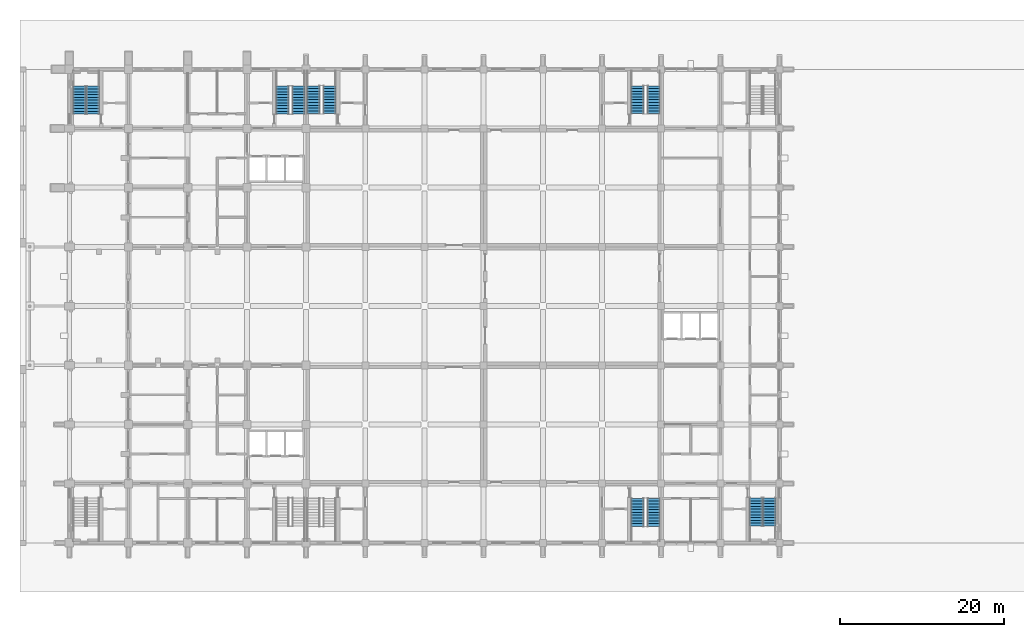
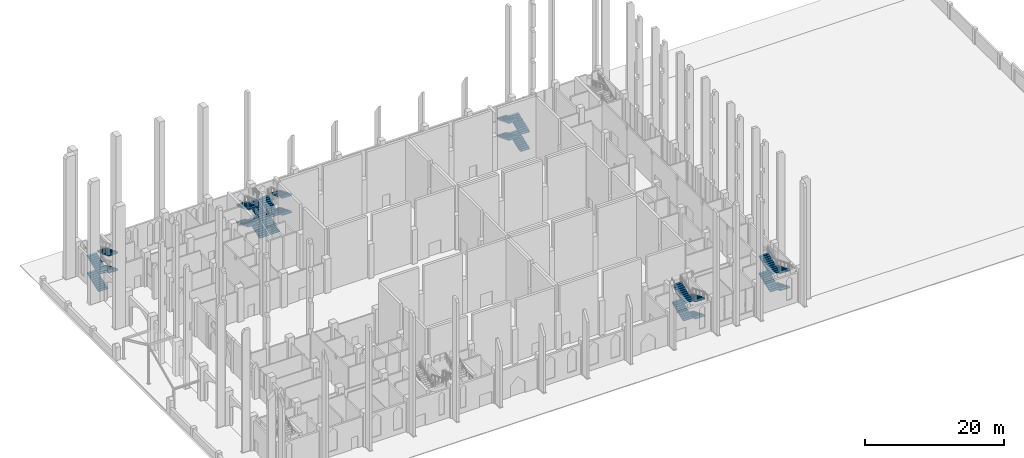
# One storey, part 41 of 50: 24 stair flights, 6 elements without a shape of their own.
"""IFC4 building model written with IfcOpenShell, lengths in metres."""

from ifc_helpers import new_model, si_unit, direction, frame, origin, place, context, subcontext, project, spatial, polyline, outline, extrude, material, type_object, element, aggregate, save


model = new_model("IFC4")

# Units and contexts
model_context = context("Model", 3, precision=1e-05, world=origin(), true_north=direction((0.0, 1.0)))
body_context = subcontext(model_context, "Body", "Model", "MODEL_VIEW")
ifc_project = project(units=[si_unit("LENGTHUNIT", "METRE"), si_unit("AREAUNIT", "SQUARE_METRE"), si_unit("VOLUMEUNIT", "CUBIC_METRE"), si_unit("PLANEANGLEUNIT", "RADIAN"), si_unit("MASSUNIT", "GRAM", prefix="KILO")], contexts=[model_context])

# Site, building, storey
site_placement = place(None, origin())
site = spatial("IfcSite", under=ifc_project, at=site_placement, CompositionType="ELEMENT")
building_placement = place(site_placement, origin())
building = spatial("IfcBuilding", under=site, at=building_placement, Name="Silangan Lancet Faculty of Sciences", CompositionType="ELEMENT")
storey_placement = place(building_placement, origin())
storey = spatial("IfcBuildingStorey", under=building, at=storey_placement, Name="L00", CompositionType="ELEMENT", Elevation=0.0)

# Stair, stair flights
ifc_material_1 = material(Name="Concrete C40/50", Category="concrete")
stair_type = type_object("IfcStairType", Name="TURRET STAIR 1550 FOUR-FLIGHT", PredefinedType="DOUBLE_RETURN_STAIR", material=ifc_material_1)
stair_1_placement = place(storey_placement, origin())
stair_1 = element("IfcStair", 1, at=stair_1_placement, inside=storey, type_object=stair_type, Name="EB-A stair L00", PredefinedType="DOUBLE_RETURN_STAIR")
ifc_material_2 = material(Name="Concrete C40/50", Category="concrete")
stair_flight_type = type_object("IfcStairFlightType", Name="TURRET STAIR FLIGHT 1550", PredefinedType="STRAIGHT", material=ifc_material_2)
stair_flight_1_placement = place(storey_placement, frame((85.175048828125, 5.449951171875, 0.0), z_axis=(0.0, 0.0, 1.0), x_axis=(0.0, -1.0, 0.0)))
stair_flight_1 = element("IfcStairFlight", 2, at=stair_flight_1_placement, type_object=stair_flight_type, Name="STR9 flight 1", NumberOfRisers=11, NumberOfTreads=10, PredefinedType="STRAIGHT", RiserHeight=0.136363636, TreadLength=0.34, context=body_context, shape_type="SweptSolid", body=[
    extrude(outline(polyline([(0.0, 0.0), (0.0, 0.136474609375), (0.340087890625, 0.136474609375), (0.340087890625, 0.272705078125), (0.679931640625, 0.272705078125), (0.679931640625, 0.4091796875), (1.02001953125, 0.4091796875), (1.02001953125, 0.54541015625), (1.360107421875, 0.54541015625), (1.360107421875, 0.681884765625), (1.699951171875, 0.681884765625), (1.699951171875, 0.818115234375), (2.0400390625, 0.818115234375), (2.0400390625, 0.95458984375), (2.3798828125, 0.95458984375), (2.3798828125, 1.0908203125), (2.719970703125, 1.0908203125), (2.719970703125, 1.227294921875), (3.06005859375, 1.227294921875), (3.06005859375, 1.363525390625), (3.39990234375, 1.363525390625), (3.39990234375, 1.5), (3.39990234375, 1.148193359375), (0.537109375, 0.0), (0.0, 0.0)])), frame((0.0, 0.77490234375, 0.0), z_axis=(0.0, -1.0, 0.0), x_axis=(1.0, 0.0, 0.0)), (0.0, 0.0, 1.0), 1.550048828125),
])
stair_flight_2_placement = place(storey_placement, frame((83.52490234375, 2.050048828125, 1.5), z_axis=(0.0, 0.0, 1.0), x_axis=(0.0, 1.0, 0.0)))
stair_flight_2 = element("IfcStairFlight", 3, at=stair_flight_2_placement, type_object=stair_flight_type, Name="STR9 flight 2", NumberOfRisers=11, NumberOfTreads=10, PredefinedType="STRAIGHT", RiserHeight=0.136363636, TreadLength=0.34, context=body_context, shape_type="SweptSolid", body=[
    extrude(outline(polyline([(0.0, 0.0), (0.0, 0.136474609375), (0.340087890625, 0.136474609375), (0.340087890625, 0.272705078125), (0.679931640625, 0.272705078125), (0.679931640625, 0.4091796875), (1.02001953125, 0.4091796875), (1.02001953125, 0.54541015625), (1.360107421875, 0.54541015625), (1.360107421875, 0.681884765625), (1.699951171875, 0.681884765625), (1.699951171875, 0.818115234375), (2.0400390625, 0.818115234375), (2.0400390625, 0.95458984375), (2.3798828125, 0.95458984375), (2.3798828125, 1.0908203125), (2.719970703125, 1.0908203125), (2.719970703125, 1.227294921875), (3.06005859375, 1.227294921875), (3.06005859375, 1.363525390625), (3.39990234375, 1.363525390625), (3.39990234375, 1.5), (3.39990234375, 1.148193359375), (0.537109375, 0.0), (0.0, 0.0)])), frame((0.0, 0.77490234375, 0.0), z_axis=(0.0, -1.0, 0.0), x_axis=(1.0, 0.0, 0.0)), (0.0, 0.0, 1.0), 1.550048828125),
])
stair_flight_3_placement = place(storey_placement, frame((85.175048828125, 5.449951171875, 3.0), z_axis=(0.0, 0.0, 1.0), x_axis=(0.0, -1.0, 0.0)))
stair_flight_3 = element("IfcStairFlight", 4, at=stair_flight_3_placement, type_object=stair_flight_type, Name="STR9 flight 3", NumberOfRisers=11, NumberOfTreads=10, PredefinedType="STRAIGHT", RiserHeight=0.136363636, TreadLength=0.34, context=body_context, shape_type="SweptSolid", body=[
    extrude(outline(polyline([(0.0, 0.0), (0.0, 0.136474609375), (0.340087890625, 0.136474609375), (0.340087890625, 0.272705078125), (0.679931640625, 0.272705078125), (0.679931640625, 0.4091796875), (1.02001953125, 0.4091796875), (1.02001953125, 0.54541015625), (1.360107421875, 0.54541015625), (1.360107421875, 0.681884765625), (1.699951171875, 0.681884765625), (1.699951171875, 0.818115234375), (2.0400390625, 0.818115234375), (2.0400390625, 0.95458984375), (2.3798828125, 0.95458984375), (2.3798828125, 1.0908203125), (2.719970703125, 1.0908203125), (2.719970703125, 1.227294921875), (3.06005859375, 1.227294921875), (3.06005859375, 1.363525390625), (3.39990234375, 1.363525390625), (3.39990234375, 1.5), (3.39990234375, 1.148193359375), (0.537109375, 0.0), (0.0, 0.0)])), frame((0.0, 0.77490234375, 0.0), z_axis=(0.0, -1.0, 0.0), x_axis=(1.0, 0.0, 0.0)), (0.0, 0.0, 1.0), 1.550048828125),
])
stair_flight_4_placement = place(storey_placement, frame((83.52490234375, 2.050048828125, 4.5), z_axis=(0.0, 0.0, 1.0), x_axis=(0.0, 1.0, 0.0)))
stair_flight_4 = element("IfcStairFlight", 5, at=stair_flight_4_placement, type_object=stair_flight_type, Name="STR9 flight 4", NumberOfRisers=11, NumberOfTreads=10, PredefinedType="STRAIGHT", RiserHeight=0.136363636, TreadLength=0.34, context=body_context, shape_type="SweptSolid", body=[
    extrude(outline(polyline([(0.0, 0.0), (0.0, 0.136474609375), (0.340087890625, 0.136474609375), (0.340087890625, 0.272705078125), (0.679931640625, 0.272705078125), (0.679931640625, 0.4091796875), (1.02001953125, 0.4091796875), (1.02001953125, 0.54541015625), (1.360107421875, 0.54541015625), (1.360107421875, 0.681884765625), (1.699951171875, 0.681884765625), (1.699951171875, 0.818115234375), (2.0400390625, 0.818115234375), (2.0400390625, 0.95458984375), (2.3798828125, 0.95458984375), (2.3798828125, 1.0908203125), (2.719970703125, 1.0908203125), (2.719970703125, 1.227294921875), (3.06005859375, 1.227294921875), (3.06005859375, 1.363525390625), (3.39990234375, 1.363525390625), (3.39990234375, 1.5), (3.39990234375, 1.148193359375), (0.537109375, 0.0), (0.0, 0.0)])), frame((0.0, 0.77490234375, 0.0), z_axis=(0.0, -1.0, 0.0), x_axis=(1.0, 0.0, 0.0)), (0.0, 0.0, 1.0), 1.550048828125),
])
aggregate(stair_1, [stair_flight_1, stair_flight_2, stair_flight_3, stair_flight_4])

stair_2_placement = place(storey_placement, origin())
stair_2 = element("IfcStair", 6, at=stair_2_placement, inside=storey, type_object=stair_type, Name="NAB-A stair L00", PredefinedType="DOUBLE_RETURN_STAIR")
stair_flight_5_placement = place(storey_placement, frame((29.699951171875, 52.199951171875, 0.0), z_axis=(0.0, 0.0, 1.0), x_axis=(0.0, 1.0, 0.0)))
stair_flight_5 = element("IfcStairFlight", 7, at=stair_flight_5_placement, type_object=stair_flight_type, Name="STR7 flight 1", NumberOfRisers=11, NumberOfTreads=10, PredefinedType="STRAIGHT", RiserHeight=0.136363636, TreadLength=0.34, context=body_context, shape_type="SweptSolid", body=[
    extrude(outline(polyline([(0.0, 0.0), (0.0, 0.136474609375), (0.340087890625, 0.136474609375), (0.340087890625, 0.272705078125), (0.679931640625, 0.272705078125), (0.679931640625, 0.4091796875), (1.02001953125, 0.4091796875), (1.02001953125, 0.54541015625), (1.360107421875, 0.54541015625), (1.360107421875, 0.681884765625), (1.699951171875, 0.681884765625), (1.699951171875, 0.818115234375), (2.0400390625, 0.818115234375), (2.0400390625, 0.95458984375), (2.3798828125, 0.95458984375), (2.3798828125, 1.0908203125), (2.719970703125, 1.0908203125), (2.719970703125, 1.227294921875), (3.06005859375, 1.227294921875), (3.06005859375, 1.363525390625), (3.39990234375, 1.363525390625), (3.39990234375, 1.5), (3.39990234375, 1.148193359375), (0.537109375, 0.0), (0.0, 0.0)])), frame((0.0, 0.77490234375, 0.0), z_axis=(0.0, -1.0, 0.0), x_axis=(1.0, 0.0, 0.0)), (0.0, 0.0, 1.0), 1.550048828125),
])
stair_flight_6_placement = place(storey_placement, frame((31.675048828125, 55.60009765625, 1.5), z_axis=(0.0, 0.0, 1.0), x_axis=(0.0, -1.0, 0.0)))
stair_flight_6 = element("IfcStairFlight", 8, at=stair_flight_6_placement, type_object=stair_flight_type, Name="STR7 flight 2", NumberOfRisers=11, NumberOfTreads=10, PredefinedType="STRAIGHT", RiserHeight=0.136363636, TreadLength=0.34, context=body_context, shape_type="SweptSolid", body=[
    extrude(outline(polyline([(0.0, 0.0), (0.0, 0.136474609375), (0.340087890625, 0.136474609375), (0.340087890625, 0.272705078125), (0.679931640625, 0.272705078125), (0.679931640625, 0.4091796875), (1.02001953125, 0.4091796875), (1.02001953125, 0.54541015625), (1.360107421875, 0.54541015625), (1.360107421875, 0.681884765625), (1.699951171875, 0.681884765625), (1.699951171875, 0.818115234375), (2.0400390625, 0.818115234375), (2.0400390625, 0.95458984375), (2.3798828125, 0.95458984375), (2.3798828125, 1.0908203125), (2.719970703125, 1.0908203125), (2.719970703125, 1.227294921875), (3.06005859375, 1.227294921875), (3.06005859375, 1.363525390625), (3.39990234375, 1.363525390625), (3.39990234375, 1.5), (3.39990234375, 1.148193359375), (0.537109375, 0.0), (0.0, 0.0)])), frame((0.0, 0.77490234375, 0.0), z_axis=(0.0, -1.0, 0.0), x_axis=(1.0, 0.0, 0.0)), (0.0, 0.0, 1.0), 1.550048828125),
])
stair_flight_7_placement = place(storey_placement, frame((29.699951171875, 52.199951171875, 3.0), z_axis=(0.0, 0.0, 1.0), x_axis=(0.0, 1.0, 0.0)))
stair_flight_7 = element("IfcStairFlight", 9, at=stair_flight_7_placement, type_object=stair_flight_type, Name="STR7 flight 3", NumberOfRisers=11, NumberOfTreads=10, PredefinedType="STRAIGHT", RiserHeight=0.136363636, TreadLength=0.34, context=body_context, shape_type="SweptSolid", body=[
    extrude(outline(polyline([(0.0, 0.0), (0.0, 0.136474609375), (0.340087890625, 0.136474609375), (0.340087890625, 0.272705078125), (0.679931640625, 0.272705078125), (0.679931640625, 0.4091796875), (1.02001953125, 0.4091796875), (1.02001953125, 0.54541015625), (1.360107421875, 0.54541015625), (1.360107421875, 0.681884765625), (1.699951171875, 0.681884765625), (1.699951171875, 0.818115234375), (2.0400390625, 0.818115234375), (2.0400390625, 0.95458984375), (2.3798828125, 0.95458984375), (2.3798828125, 1.0908203125), (2.719970703125, 1.0908203125), (2.719970703125, 1.227294921875), (3.06005859375, 1.227294921875), (3.06005859375, 1.363525390625), (3.39990234375, 1.363525390625), (3.39990234375, 1.5), (3.39990234375, 1.148193359375), (0.537109375, 0.0), (0.0, 0.0)])), frame((0.0, 0.77490234375, 0.0), z_axis=(0.0, -1.0, 0.0), x_axis=(1.0, 0.0, 0.0)), (0.0, 0.0, 1.0), 1.550048828125),
])
stair_flight_8_placement = place(storey_placement, frame((31.675048828125, 55.60009765625, 4.5), z_axis=(0.0, 0.0, 1.0), x_axis=(0.0, -1.0, 0.0)))
stair_flight_8 = element("IfcStairFlight", 10, at=stair_flight_8_placement, type_object=stair_flight_type, Name="STR7 flight 4", NumberOfRisers=11, NumberOfTreads=10, PredefinedType="STRAIGHT", RiserHeight=0.136363636, TreadLength=0.34, context=body_context, shape_type="SweptSolid", body=[
    extrude(outline(polyline([(0.0, 0.0), (0.0, 0.136474609375), (0.340087890625, 0.136474609375), (0.340087890625, 0.272705078125), (0.679931640625, 0.272705078125), (0.679931640625, 0.4091796875), (1.02001953125, 0.4091796875), (1.02001953125, 0.54541015625), (1.360107421875, 0.54541015625), (1.360107421875, 0.681884765625), (1.699951171875, 0.681884765625), (1.699951171875, 0.818115234375), (2.0400390625, 0.818115234375), (2.0400390625, 0.95458984375), (2.3798828125, 0.95458984375), (2.3798828125, 1.0908203125), (2.719970703125, 1.0908203125), (2.719970703125, 1.227294921875), (3.06005859375, 1.227294921875), (3.06005859375, 1.363525390625), (3.39990234375, 1.363525390625), (3.39990234375, 1.5), (3.39990234375, 1.148193359375), (0.537109375, 0.0), (0.0, 0.0)])), frame((0.0, 0.77490234375, 0.0), z_axis=(0.0, -1.0, 0.0), x_axis=(1.0, 0.0, 0.0)), (0.0, 0.0, 1.0), 1.550048828125),
])
aggregate(stair_2, [stair_flight_5, stair_flight_6, stair_flight_7, stair_flight_8])

stair_3_placement = place(storey_placement, origin())
stair_3 = element("IfcStair", 11, at=stair_3_placement, inside=storey, type_object=stair_type, Name="NAB-B stair L00", PredefinedType="DOUBLE_RETURN_STAIR")
stair_flight_9_placement = place(storey_placement, frame((71.10009765625, 52.199951171875, 0.0), z_axis=(0.0, 0.0, 1.0), x_axis=(0.0, 1.0, 0.0)))
stair_flight_9 = element("IfcStairFlight", 12, at=stair_flight_9_placement, type_object=stair_flight_type, Name="STR8 flight 1", NumberOfRisers=11, NumberOfTreads=10, PredefinedType="STRAIGHT", RiserHeight=0.136363636, TreadLength=0.34, context=body_context, shape_type="SweptSolid", body=[
    extrude(outline(polyline([(0.0, 0.0), (0.0, 0.136474609375), (0.340087890625, 0.136474609375), (0.340087890625, 0.272705078125), (0.679931640625, 0.272705078125), (0.679931640625, 0.4091796875), (1.02001953125, 0.4091796875), (1.02001953125, 0.54541015625), (1.360107421875, 0.54541015625), (1.360107421875, 0.681884765625), (1.699951171875, 0.681884765625), (1.699951171875, 0.818115234375), (2.0400390625, 0.818115234375), (2.0400390625, 0.95458984375), (2.3798828125, 0.95458984375), (2.3798828125, 1.0908203125), (2.719970703125, 1.0908203125), (2.719970703125, 1.227294921875), (3.06005859375, 1.227294921875), (3.06005859375, 1.363525390625), (3.39990234375, 1.363525390625), (3.39990234375, 1.5), (3.39990234375, 1.148193359375), (0.537109375, 0.0), (0.0, 0.0)])), frame((0.0, 0.77490234375, 0.0), z_axis=(0.0, -1.0, 0.0), x_axis=(1.0, 0.0, 0.0)), (0.0, 0.0, 1.0), 1.550048828125),
])
stair_flight_10_placement = place(storey_placement, frame((69.125, 55.60009765625, 1.5), z_axis=(0.0, 0.0, 1.0), x_axis=(0.0, -1.0, 0.0)))
stair_flight_10 = element("IfcStairFlight", 13, at=stair_flight_10_placement, type_object=stair_flight_type, Name="STR8 flight 2", NumberOfRisers=11, NumberOfTreads=10, PredefinedType="STRAIGHT", RiserHeight=0.136363636, TreadLength=0.34, context=body_context, shape_type="SweptSolid", body=[
    extrude(outline(polyline([(0.0, 0.0), (0.0, 0.136474609375), (0.340087890625, 0.136474609375), (0.340087890625, 0.272705078125), (0.679931640625, 0.272705078125), (0.679931640625, 0.4091796875), (1.02001953125, 0.4091796875), (1.02001953125, 0.54541015625), (1.360107421875, 0.54541015625), (1.360107421875, 0.681884765625), (1.699951171875, 0.681884765625), (1.699951171875, 0.818115234375), (2.0400390625, 0.818115234375), (2.0400390625, 0.95458984375), (2.3798828125, 0.95458984375), (2.3798828125, 1.0908203125), (2.719970703125, 1.0908203125), (2.719970703125, 1.227294921875), (3.06005859375, 1.227294921875), (3.06005859375, 1.363525390625), (3.39990234375, 1.363525390625), (3.39990234375, 1.5), (3.39990234375, 1.148193359375), (0.537109375, 0.0), (0.0, 0.0)])), frame((0.0, 0.77490234375, 0.0), z_axis=(0.0, -1.0, 0.0), x_axis=(1.0, 0.0, 0.0)), (0.0, 0.0, 1.0), 1.550048828125),
])
stair_flight_11_placement = place(storey_placement, frame((71.10009765625, 52.199951171875, 3.0), z_axis=(0.0, 0.0, 1.0), x_axis=(0.0, 1.0, 0.0)))
stair_flight_11 = element("IfcStairFlight", 14, at=stair_flight_11_placement, type_object=stair_flight_type, Name="STR8 flight 3", NumberOfRisers=11, NumberOfTreads=10, PredefinedType="STRAIGHT", RiserHeight=0.136363636, TreadLength=0.34, context=body_context, shape_type="SweptSolid", body=[
    extrude(outline(polyline([(0.0, 0.0), (0.0, 0.136474609375), (0.340087890625, 0.136474609375), (0.340087890625, 0.272705078125), (0.679931640625, 0.272705078125), (0.679931640625, 0.4091796875), (1.02001953125, 0.4091796875), (1.02001953125, 0.54541015625), (1.360107421875, 0.54541015625), (1.360107421875, 0.681884765625), (1.699951171875, 0.681884765625), (1.699951171875, 0.818115234375), (2.0400390625, 0.818115234375), (2.0400390625, 0.95458984375), (2.3798828125, 0.95458984375), (2.3798828125, 1.0908203125), (2.719970703125, 1.0908203125), (2.719970703125, 1.227294921875), (3.06005859375, 1.227294921875), (3.06005859375, 1.363525390625), (3.39990234375, 1.363525390625), (3.39990234375, 1.5), (3.39990234375, 1.148193359375), (0.537109375, 0.0), (0.0, 0.0)])), frame((0.0, 0.77490234375, 0.0), z_axis=(0.0, -1.0, 0.0), x_axis=(1.0, 0.0, 0.0)), (0.0, 0.0, 1.0), 1.550048828125),
])
stair_flight_12_placement = place(storey_placement, frame((69.125, 55.60009765625, 4.5), z_axis=(0.0, 0.0, 1.0), x_axis=(0.0, -1.0, 0.0)))
stair_flight_12 = element("IfcStairFlight", 15, at=stair_flight_12_placement, type_object=stair_flight_type, Name="STR8 flight 4", NumberOfRisers=11, NumberOfTreads=10, PredefinedType="STRAIGHT", RiserHeight=0.136363636, TreadLength=0.34, context=body_context, shape_type="SweptSolid", body=[
    extrude(outline(polyline([(0.0, 0.0), (0.0, 0.136474609375), (0.340087890625, 0.136474609375), (0.340087890625, 0.272705078125), (0.679931640625, 0.272705078125), (0.679931640625, 0.4091796875), (1.02001953125, 0.4091796875), (1.02001953125, 0.54541015625), (1.360107421875, 0.54541015625), (1.360107421875, 0.681884765625), (1.699951171875, 0.681884765625), (1.699951171875, 0.818115234375), (2.0400390625, 0.818115234375), (2.0400390625, 0.95458984375), (2.3798828125, 0.95458984375), (2.3798828125, 1.0908203125), (2.719970703125, 1.0908203125), (2.719970703125, 1.227294921875), (3.06005859375, 1.227294921875), (3.06005859375, 1.363525390625), (3.39990234375, 1.363525390625), (3.39990234375, 1.5), (3.39990234375, 1.148193359375), (0.537109375, 0.0), (0.0, 0.0)])), frame((0.0, 0.77490234375, 0.0), z_axis=(0.0, -1.0, 0.0), x_axis=(1.0, 0.0, 0.0)), (0.0, 0.0, 1.0), 1.550048828125),
])
aggregate(stair_3, [stair_flight_9, stair_flight_10, stair_flight_11, stair_flight_12])

stair_4_placement = place(storey_placement, origin())
stair_4 = element("IfcStair", 16, at=stair_4_placement, inside=storey, type_object=stair_type, Name="NT-A stair L00", PredefinedType="DOUBLE_RETURN_STAIR")
stair_flight_13_placement = place(storey_placement, frame((1.22509765625, 52.14990234375, 0.0), z_axis=(0.0, 0.0, 1.0), x_axis=(0.0, 1.0, 0.0)))
stair_flight_13 = element("IfcStairFlight", 17, at=stair_flight_13_placement, type_object=stair_flight_type, Name="STR3 flight 1", NumberOfRisers=11, NumberOfTreads=10, PredefinedType="STRAIGHT", RiserHeight=0.136363636, TreadLength=0.34, context=body_context, shape_type="SweptSolid", body=[
    extrude(outline(polyline([(0.0, 0.0), (0.0, 0.136474609375), (0.340087890625, 0.136474609375), (0.340087890625, 0.272705078125), (0.679931640625, 0.272705078125), (0.679931640625, 0.4091796875), (1.02001953125, 0.4091796875), (1.02001953125, 0.54541015625), (1.360107421875, 0.54541015625), (1.360107421875, 0.681884765625), (1.699951171875, 0.681884765625), (1.699951171875, 0.818115234375), (2.0400390625, 0.818115234375), (2.0400390625, 0.95458984375), (2.3798828125, 0.95458984375), (2.3798828125, 1.0908203125), (2.719970703125, 1.0908203125), (2.719970703125, 1.227294921875), (3.06005859375, 1.227294921875), (3.06005859375, 1.363525390625), (3.39990234375, 1.363525390625), (3.39990234375, 1.5), (3.39990234375, 1.148193359375), (0.537109375, 0.0), (0.0, 0.0)])), frame((0.0, 0.77490234375, 0.0), z_axis=(0.0, -1.0, 0.0), x_axis=(1.0, 0.0, 0.0)), (0.0, 0.0, 1.0), 1.550048828125),
])
stair_flight_14_placement = place(storey_placement, frame((2.875, 55.550048828125, 1.5), z_axis=(0.0, 0.0, 1.0), x_axis=(0.0, -1.0, 0.0)))
stair_flight_14 = element("IfcStairFlight", 18, at=stair_flight_14_placement, type_object=stair_flight_type, Name="STR3 flight 2", NumberOfRisers=11, NumberOfTreads=10, PredefinedType="STRAIGHT", RiserHeight=0.136363636, TreadLength=0.34, context=body_context, shape_type="SweptSolid", body=[
    extrude(outline(polyline([(0.0, 0.0), (0.0, 0.136474609375), (0.340087890625, 0.136474609375), (0.340087890625, 0.272705078125), (0.679931640625, 0.272705078125), (0.679931640625, 0.4091796875), (1.02001953125, 0.4091796875), (1.02001953125, 0.54541015625), (1.360107421875, 0.54541015625), (1.360107421875, 0.681884765625), (1.699951171875, 0.681884765625), (1.699951171875, 0.818115234375), (2.0400390625, 0.818115234375), (2.0400390625, 0.95458984375), (2.3798828125, 0.95458984375), (2.3798828125, 1.0908203125), (2.719970703125, 1.0908203125), (2.719970703125, 1.227294921875), (3.06005859375, 1.227294921875), (3.06005859375, 1.363525390625), (3.39990234375, 1.363525390625), (3.39990234375, 1.5), (3.39990234375, 1.148193359375), (0.537109375, 0.0), (0.0, 0.0)])), frame((0.0, 0.77490234375, 0.0), z_axis=(0.0, -1.0, 0.0), x_axis=(1.0, 0.0, 0.0)), (0.0, 0.0, 1.0), 1.550048828125),
])
stair_flight_15_placement = place(storey_placement, frame((1.22509765625, 52.14990234375, 3.0), z_axis=(0.0, 0.0, 1.0), x_axis=(0.0, 1.0, 0.0)))
stair_flight_15 = element("IfcStairFlight", 19, at=stair_flight_15_placement, type_object=stair_flight_type, Name="STR3 flight 3", NumberOfRisers=11, NumberOfTreads=10, PredefinedType="STRAIGHT", RiserHeight=0.136363636, TreadLength=0.34, context=body_context, shape_type="SweptSolid", body=[
    extrude(outline(polyline([(0.0, 0.0), (0.0, 0.136474609375), (0.340087890625, 0.136474609375), (0.340087890625, 0.272705078125), (0.679931640625, 0.272705078125), (0.679931640625, 0.4091796875), (1.02001953125, 0.4091796875), (1.02001953125, 0.54541015625), (1.360107421875, 0.54541015625), (1.360107421875, 0.681884765625), (1.699951171875, 0.681884765625), (1.699951171875, 0.818115234375), (2.0400390625, 0.818115234375), (2.0400390625, 0.95458984375), (2.3798828125, 0.95458984375), (2.3798828125, 1.0908203125), (2.719970703125, 1.0908203125), (2.719970703125, 1.227294921875), (3.06005859375, 1.227294921875), (3.06005859375, 1.363525390625), (3.39990234375, 1.363525390625), (3.39990234375, 1.5), (3.39990234375, 1.148193359375), (0.537109375, 0.0), (0.0, 0.0)])), frame((0.0, 0.77490234375, 0.0), z_axis=(0.0, -1.0, 0.0), x_axis=(1.0, 0.0, 0.0)), (0.0, 0.0, 1.0), 1.550048828125),
])
stair_flight_16_placement = place(storey_placement, frame((2.875, 55.550048828125, 4.5), z_axis=(0.0, 0.0, 1.0), x_axis=(0.0, -1.0, 0.0)))
stair_flight_16 = element("IfcStairFlight", 20, at=stair_flight_16_placement, type_object=stair_flight_type, Name="STR3 flight 4", NumberOfRisers=11, NumberOfTreads=10, PredefinedType="STRAIGHT", RiserHeight=0.136363636, TreadLength=0.34, context=body_context, shape_type="SweptSolid", body=[
    extrude(outline(polyline([(0.0, 0.0), (0.0, 0.136474609375), (0.340087890625, 0.136474609375), (0.340087890625, 0.272705078125), (0.679931640625, 0.272705078125), (0.679931640625, 0.4091796875), (1.02001953125, 0.4091796875), (1.02001953125, 0.54541015625), (1.360107421875, 0.54541015625), (1.360107421875, 0.681884765625), (1.699951171875, 0.681884765625), (1.699951171875, 0.818115234375), (2.0400390625, 0.818115234375), (2.0400390625, 0.95458984375), (2.3798828125, 0.95458984375), (2.3798828125, 1.0908203125), (2.719970703125, 1.0908203125), (2.719970703125, 1.227294921875), (3.06005859375, 1.227294921875), (3.06005859375, 1.363525390625), (3.39990234375, 1.363525390625), (3.39990234375, 1.5), (3.39990234375, 1.148193359375), (0.537109375, 0.0), (0.0, 0.0)])), frame((0.0, 0.77490234375, 0.0), z_axis=(0.0, -1.0, 0.0), x_axis=(1.0, 0.0, 0.0)), (0.0, 0.0, 1.0), 1.550048828125),
])
aggregate(stair_4, [stair_flight_13, stair_flight_14, stair_flight_15, stair_flight_16])

stair_5_placement = place(storey_placement, origin())
stair_5 = element("IfcStair", 21, at=stair_5_placement, inside=storey, type_object=stair_type, Name="NT-B stair L00", PredefinedType="DOUBLE_RETURN_STAIR")
stair_flight_17_placement = place(storey_placement, frame((27.89990234375, 52.14990234375, 0.0), z_axis=(0.0, 0.0, 1.0), x_axis=(0.0, 1.0, 0.0)))
stair_flight_17 = element("IfcStairFlight", 22, at=stair_flight_17_placement, type_object=stair_flight_type, Name="STR4 flight 1", NumberOfRisers=11, NumberOfTreads=10, PredefinedType="STRAIGHT", RiserHeight=0.136363636, TreadLength=0.34, context=body_context, shape_type="SweptSolid", body=[
    extrude(outline(polyline([(0.0, 0.0), (0.0, 0.136474609375), (0.340087890625, 0.136474609375), (0.340087890625, 0.272705078125), (0.679931640625, 0.272705078125), (0.679931640625, 0.4091796875), (1.02001953125, 0.4091796875), (1.02001953125, 0.54541015625), (1.360107421875, 0.54541015625), (1.360107421875, 0.681884765625), (1.699951171875, 0.681884765625), (1.699951171875, 0.818115234375), (2.0400390625, 0.818115234375), (2.0400390625, 0.95458984375), (2.3798828125, 0.95458984375), (2.3798828125, 1.0908203125), (2.719970703125, 1.0908203125), (2.719970703125, 1.227294921875), (3.06005859375, 1.227294921875), (3.06005859375, 1.363525390625), (3.39990234375, 1.363525390625), (3.39990234375, 1.5), (3.39990234375, 1.148193359375), (0.537109375, 0.0), (0.0, 0.0)])), frame((0.0, 0.77490234375, 0.0), z_axis=(0.0, -1.0, 0.0), x_axis=(1.0, 0.0, 0.0)), (0.0, 0.0, 1.0), 1.550048828125),
])
stair_flight_18_placement = place(storey_placement, frame((25.925048828125, 55.550048828125, 1.5), z_axis=(0.0, 0.0, 1.0), x_axis=(0.0, -1.0, 0.0)))
stair_flight_18 = element("IfcStairFlight", 23, at=stair_flight_18_placement, type_object=stair_flight_type, Name="STR4 flight 2", NumberOfRisers=11, NumberOfTreads=10, PredefinedType="STRAIGHT", RiserHeight=0.136363636, TreadLength=0.34, context=body_context, shape_type="SweptSolid", body=[
    extrude(outline(polyline([(0.0, 0.0), (0.0, 0.136474609375), (0.340087890625, 0.136474609375), (0.340087890625, 0.272705078125), (0.679931640625, 0.272705078125), (0.679931640625, 0.4091796875), (1.02001953125, 0.4091796875), (1.02001953125, 0.54541015625), (1.360107421875, 0.54541015625), (1.360107421875, 0.681884765625), (1.699951171875, 0.681884765625), (1.699951171875, 0.818115234375), (2.0400390625, 0.818115234375), (2.0400390625, 0.95458984375), (2.3798828125, 0.95458984375), (2.3798828125, 1.0908203125), (2.719970703125, 1.0908203125), (2.719970703125, 1.227294921875), (3.06005859375, 1.227294921875), (3.06005859375, 1.363525390625), (3.39990234375, 1.363525390625), (3.39990234375, 1.5), (3.39990234375, 1.148193359375), (0.537109375, 0.0), (0.0, 0.0)])), frame((0.0, 0.77490234375, 0.0), z_axis=(0.0, -1.0, 0.0), x_axis=(1.0, 0.0, 0.0)), (0.0, 0.0, 1.0), 1.550048828125),
])
stair_flight_19_placement = place(storey_placement, frame((27.89990234375, 52.14990234375, 3.0), z_axis=(0.0, 0.0, 1.0), x_axis=(0.0, 1.0, 0.0)))
stair_flight_19 = element("IfcStairFlight", 24, at=stair_flight_19_placement, type_object=stair_flight_type, Name="STR4 flight 3", NumberOfRisers=11, NumberOfTreads=10, PredefinedType="STRAIGHT", RiserHeight=0.136363636, TreadLength=0.34, context=body_context, shape_type="SweptSolid", body=[
    extrude(outline(polyline([(0.0, 0.0), (0.0, 0.136474609375), (0.340087890625, 0.136474609375), (0.340087890625, 0.272705078125), (0.679931640625, 0.272705078125), (0.679931640625, 0.4091796875), (1.02001953125, 0.4091796875), (1.02001953125, 0.54541015625), (1.360107421875, 0.54541015625), (1.360107421875, 0.681884765625), (1.699951171875, 0.681884765625), (1.699951171875, 0.818115234375), (2.0400390625, 0.818115234375), (2.0400390625, 0.95458984375), (2.3798828125, 0.95458984375), (2.3798828125, 1.0908203125), (2.719970703125, 1.0908203125), (2.719970703125, 1.227294921875), (3.06005859375, 1.227294921875), (3.06005859375, 1.363525390625), (3.39990234375, 1.363525390625), (3.39990234375, 1.5), (3.39990234375, 1.148193359375), (0.537109375, 0.0), (0.0, 0.0)])), frame((0.0, 0.77490234375, 0.0), z_axis=(0.0, -1.0, 0.0), x_axis=(1.0, 0.0, 0.0)), (0.0, 0.0, 1.0), 1.550048828125),
])
stair_flight_20_placement = place(storey_placement, frame((25.925048828125, 55.550048828125, 4.5), z_axis=(0.0, 0.0, 1.0), x_axis=(0.0, -1.0, 0.0)))
stair_flight_20 = element("IfcStairFlight", 25, at=stair_flight_20_placement, type_object=stair_flight_type, Name="STR4 flight 4", NumberOfRisers=11, NumberOfTreads=10, PredefinedType="STRAIGHT", RiserHeight=0.136363636, TreadLength=0.34, context=body_context, shape_type="SweptSolid", body=[
    extrude(outline(polyline([(0.0, 0.0), (0.0, 0.136474609375), (0.340087890625, 0.136474609375), (0.340087890625, 0.272705078125), (0.679931640625, 0.272705078125), (0.679931640625, 0.4091796875), (1.02001953125, 0.4091796875), (1.02001953125, 0.54541015625), (1.360107421875, 0.54541015625), (1.360107421875, 0.681884765625), (1.699951171875, 0.681884765625), (1.699951171875, 0.818115234375), (2.0400390625, 0.818115234375), (2.0400390625, 0.95458984375), (2.3798828125, 0.95458984375), (2.3798828125, 1.0908203125), (2.719970703125, 1.0908203125), (2.719970703125, 1.227294921875), (3.06005859375, 1.227294921875), (3.06005859375, 1.363525390625), (3.39990234375, 1.363525390625), (3.39990234375, 1.5), (3.39990234375, 1.148193359375), (0.537109375, 0.0), (0.0, 0.0)])), frame((0.0, 0.77490234375, 0.0), z_axis=(0.0, -1.0, 0.0), x_axis=(1.0, 0.0, 0.0)), (0.0, 0.0, 1.0), 1.550048828125),
])
aggregate(stair_5, [stair_flight_17, stair_flight_18, stair_flight_19, stair_flight_20])

stair_6_placement = place(storey_placement, origin())
stair_6 = element("IfcStair", 26, at=stair_6_placement, inside=storey, type_object=stair_type, Name="SAB-B stair L00", PredefinedType="DOUBLE_RETURN_STAIR")
stair_flight_21_placement = place(storey_placement, frame((71.10009765625, 5.39990234375, 0.0), z_axis=(0.0, 0.0, 1.0), x_axis=(0.0, -1.0, 0.0)))
stair_flight_21 = element("IfcStairFlight", 27, at=stair_flight_21_placement, type_object=stair_flight_type, Name="STR6 flight 1", NumberOfRisers=11, NumberOfTreads=10, PredefinedType="STRAIGHT", RiserHeight=0.136363636, TreadLength=0.34, context=body_context, shape_type="SweptSolid", body=[
    extrude(outline(polyline([(0.0, 0.0), (0.0, 0.136474609375), (0.340087890625, 0.136474609375), (0.340087890625, 0.272705078125), (0.679931640625, 0.272705078125), (0.679931640625, 0.4091796875), (1.02001953125, 0.4091796875), (1.02001953125, 0.54541015625), (1.360107421875, 0.54541015625), (1.360107421875, 0.681884765625), (1.699951171875, 0.681884765625), (1.699951171875, 0.818115234375), (2.0400390625, 0.818115234375), (2.0400390625, 0.95458984375), (2.3798828125, 0.95458984375), (2.3798828125, 1.0908203125), (2.719970703125, 1.0908203125), (2.719970703125, 1.227294921875), (3.06005859375, 1.227294921875), (3.06005859375, 1.363525390625), (3.39990234375, 1.363525390625), (3.39990234375, 1.5), (3.39990234375, 1.148193359375), (0.537109375, 0.0), (0.0, 0.0)])), frame((0.0, 0.77490234375, 0.0), z_axis=(0.0, -1.0, 0.0), x_axis=(1.0, 0.0, 0.0)), (0.0, 0.0, 1.0), 1.550048828125),
])
stair_flight_22_placement = place(storey_placement, frame((69.125, 2.0, 1.5), z_axis=(0.0, 0.0, 1.0), x_axis=(0.0, 1.0, 0.0)))
stair_flight_22 = element("IfcStairFlight", 28, at=stair_flight_22_placement, type_object=stair_flight_type, Name="STR6 flight 2", NumberOfRisers=11, NumberOfTreads=10, PredefinedType="STRAIGHT", RiserHeight=0.136363636, TreadLength=0.34, context=body_context, shape_type="SweptSolid", body=[
    extrude(outline(polyline([(0.0, 0.0), (0.0, 0.136474609375), (0.340087890625, 0.136474609375), (0.340087890625, 0.272705078125), (0.679931640625, 0.272705078125), (0.679931640625, 0.4091796875), (1.02001953125, 0.4091796875), (1.02001953125, 0.54541015625), (1.360107421875, 0.54541015625), (1.360107421875, 0.681884765625), (1.699951171875, 0.681884765625), (1.699951171875, 0.818115234375), (2.0400390625, 0.818115234375), (2.0400390625, 0.95458984375), (2.3798828125, 0.95458984375), (2.3798828125, 1.0908203125), (2.719970703125, 1.0908203125), (2.719970703125, 1.227294921875), (3.06005859375, 1.227294921875), (3.06005859375, 1.363525390625), (3.39990234375, 1.363525390625), (3.39990234375, 1.5), (3.39990234375, 1.148193359375), (0.537109375, 0.0), (0.0, 0.0)])), frame((0.0, 0.77490234375, 0.0), z_axis=(0.0, -1.0, 0.0), x_axis=(1.0, 0.0, 0.0)), (0.0, 0.0, 1.0), 1.550048828125),
])
stair_flight_23_placement = place(storey_placement, frame((71.10009765625, 5.39990234375, 3.0), z_axis=(0.0, 0.0, 1.0), x_axis=(0.0, -1.0, 0.0)))
stair_flight_23 = element("IfcStairFlight", 29, at=stair_flight_23_placement, type_object=stair_flight_type, Name="STR6 flight 3", NumberOfRisers=11, NumberOfTreads=10, PredefinedType="STRAIGHT", RiserHeight=0.136363636, TreadLength=0.34, context=body_context, shape_type="SweptSolid", body=[
    extrude(outline(polyline([(0.0, 0.0), (0.0, 0.136474609375), (0.340087890625, 0.136474609375), (0.340087890625, 0.272705078125), (0.679931640625, 0.272705078125), (0.679931640625, 0.4091796875), (1.02001953125, 0.4091796875), (1.02001953125, 0.54541015625), (1.360107421875, 0.54541015625), (1.360107421875, 0.681884765625), (1.699951171875, 0.681884765625), (1.699951171875, 0.818115234375), (2.0400390625, 0.818115234375), (2.0400390625, 0.95458984375), (2.3798828125, 0.95458984375), (2.3798828125, 1.0908203125), (2.719970703125, 1.0908203125), (2.719970703125, 1.227294921875), (3.06005859375, 1.227294921875), (3.06005859375, 1.363525390625), (3.39990234375, 1.363525390625), (3.39990234375, 1.5), (3.39990234375, 1.148193359375), (0.537109375, 0.0), (0.0, 0.0)])), frame((0.0, 0.77490234375, 0.0), z_axis=(0.0, -1.0, 0.0), x_axis=(1.0, 0.0, 0.0)), (0.0, 0.0, 1.0), 1.550048828125),
])
stair_flight_24_placement = place(storey_placement, frame((69.125, 2.0, 4.5), z_axis=(0.0, 0.0, 1.0), x_axis=(0.0, 1.0, 0.0)))
stair_flight_24 = element("IfcStairFlight", 30, at=stair_flight_24_placement, type_object=stair_flight_type, Name="STR6 flight 4", NumberOfRisers=11, NumberOfTreads=10, PredefinedType="STRAIGHT", RiserHeight=0.136363636, TreadLength=0.34, context=body_context, shape_type="SweptSolid", body=[
    extrude(outline(polyline([(0.0, 0.0), (0.0, 0.136474609375), (0.340087890625, 0.136474609375), (0.340087890625, 0.272705078125), (0.679931640625, 0.272705078125), (0.679931640625, 0.4091796875), (1.02001953125, 0.4091796875), (1.02001953125, 0.54541015625), (1.360107421875, 0.54541015625), (1.360107421875, 0.681884765625), (1.699951171875, 0.681884765625), (1.699951171875, 0.818115234375), (2.0400390625, 0.818115234375), (2.0400390625, 0.95458984375), (2.3798828125, 0.95458984375), (2.3798828125, 1.0908203125), (2.719970703125, 1.0908203125), (2.719970703125, 1.227294921875), (3.06005859375, 1.227294921875), (3.06005859375, 1.363525390625), (3.39990234375, 1.363525390625), (3.39990234375, 1.5), (3.39990234375, 1.148193359375), (0.537109375, 0.0), (0.0, 0.0)])), frame((0.0, 0.77490234375, 0.0), z_axis=(0.0, -1.0, 0.0), x_axis=(1.0, 0.0, 0.0)), (0.0, 0.0, 1.0), 1.550048828125),
])
aggregate(stair_6, [stair_flight_21, stair_flight_22, stair_flight_23, stair_flight_24])

save(model, "model.ifc")
